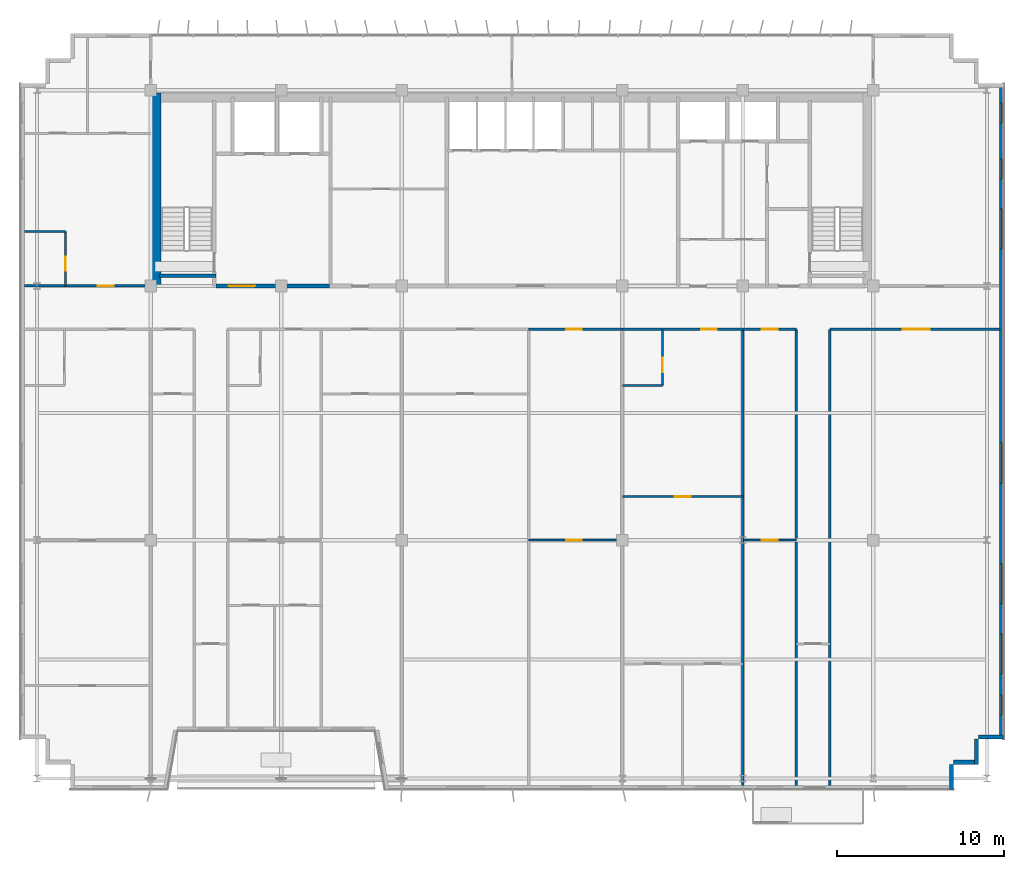
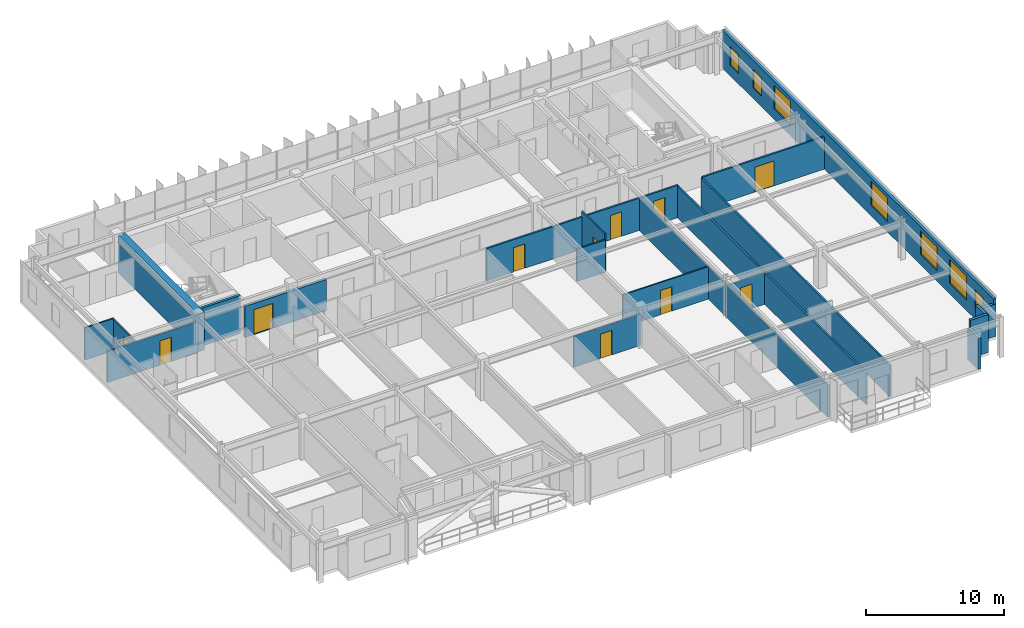
# One storey, part 16 of 20: 23 walls, 11 doors, 7 windows, 18 openings.
"""IFC4 building model written with IfcOpenShell, lengths in metres."""

from ifc_helpers import new_model, si_unit, direction, frame, frame_2d, origin, place, context, subcontext, project, spatial, rectangle, extrude, source, transform, mapped, material, layer, layer_set, type_object, element, fill, save


model = new_model("IFC4")

# Units and contexts
model_context = context("Model", 3, precision=1e-05, world=origin(), true_north=direction((0.0, 1.0)))
body_context = subcontext(model_context, "Body", "Model", "MODEL_VIEW")
ifc_project = project(units=[si_unit("LENGTHUNIT", "METRE"), si_unit("AREAUNIT", "SQUARE_METRE"), si_unit("VOLUMEUNIT", "CUBIC_METRE"), si_unit("PLANEANGLEUNIT", "RADIAN"), si_unit("MASSUNIT", "GRAM", prefix="KILO")], contexts=[model_context])

# Site, building, storey
site_placement = place(None, origin())
site = spatial("IfcSite", under=ifc_project, at=site_placement, CompositionType="ELEMENT")
building_placement = place(site_placement, origin())
building = spatial("IfcBuilding", under=site, at=building_placement, Name="Trelvane Seafront Commons", CompositionType="ELEMENT")
storey_placement = place(building_placement, frame((0.0, 0.0, 171.699951171875)))
storey = spatial("IfcBuildingStorey", under=building, at=storey_placement, Name="L45", CompositionType="ELEMENT", Elevation=171.699951171875)

# Wall, openings, windows
ifc_material_1 = material(Name="Precast concrete C40/50", Category="concrete")
ifc_layer_1 = layer(ifc_material_1, 0.239990234375, Name="ARCH-WALL-EXT240")
ifc_layer_set_1 = layer_set([ifc_layer_1], Name="Precast concrete C40/50")
wall_type_1 = type_object("IfcWallType", Name="ARCH-WALL-EXT240", PredefinedType="SOLIDWALL", material=ifc_layer_set_1)
wall_1_placement = place(storey_placement, frame((66.47998046875, 45.5, 0.0), z_axis=(0.0, 0.0, 1.0), x_axis=(0.0, -1.0, 0.0)))
wall_1 = element("IfcWall", 1, at=wall_1_placement, inside=storey, type_object=wall_type_1, Name="EW-L45-00898", PredefinedType="SOLIDWALL", context=body_context, shape_type="SweptSolid", body=[
    extrude(rectangle(XDim=39.199951171875, YDim=0.239990234375, at=frame_2d((19.60009765625, 0.0))), origin(), (0.0, 0.0, 1.0), 3.35009765625),
])
opening_1_placement = place(wall_1_placement, frame((36.550048828125, 0.0, 0.919921875)))
opening_1 = element("IfcOpeningElement", 2, at=opening_1_placement, cuts=wall_1, Name="Opening W05", PredefinedType="OPENING", context=body_context, shape_type="SweptSolid", body=[
    extrude(rectangle(XDim=1.199951171875, YDim=1.64990234375, at=frame_2d((0.60009765625, 0.824951171875))), frame((0.0, 0.1298828125, 0.0), z_axis=(0.0, -1.0, 0.0), x_axis=(1.0, 0.0, 0.0)), (0.0, 0.0, 1.0), 0.260009765625),
])
opening_2_placement = place(wall_1_placement, frame((32.89990234375, 0.0, 0.919921875)))
opening_2 = element("IfcOpeningElement", 3, at=opening_2_placement, cuts=wall_1, Name="Opening W08", PredefinedType="OPENING", context=body_context, shape_type="SweptSolid", body=[
    extrude(rectangle(XDim=2.39990234375, YDim=2.10009765625, at=frame_2d((1.199951171875, 1.050048828125))), frame((0.0, 0.1298828125, 0.0), z_axis=(0.0, -1.0, 0.0), x_axis=(1.0, 0.0, 0.0)), (0.0, 0.0, 1.0), 0.260009765625),
])
opening_3_placement = place(wall_1_placement, frame((28.699951171875, 0.0, 0.919921875)))
opening_3 = element("IfcOpeningElement", 4, at=opening_3_placement, cuts=wall_1, Name="Opening W08", PredefinedType="OPENING", context=body_context, shape_type="SweptSolid", body=[
    extrude(rectangle(XDim=2.39990234375, YDim=2.10009765625, at=frame_2d((1.199951171875, 1.050048828125))), frame((0.0, 0.1298828125, 0.0), z_axis=(0.0, -1.0, 0.0), x_axis=(1.0, 0.0, 0.0)), (0.0, 0.0, 1.0), 0.260009765625),
])
opening_4_placement = place(wall_1_placement, frame((21.5, 0.0, 0.919921875)))
opening_4 = element("IfcOpeningElement", 5, at=opening_4_placement, cuts=wall_1, Name="Opening W08", PredefinedType="OPENING", context=body_context, shape_type="SweptSolid", body=[
    extrude(rectangle(XDim=2.39990234375, YDim=2.10009765625, at=frame_2d((1.199951171875, 1.050048828125))), frame((0.0, 0.1298828125, 0.0), z_axis=(0.0, -1.0, 0.0), x_axis=(1.0, 0.0, 0.0)), (0.0, 0.0, 1.0), 0.260009765625),
])
opening_5_placement = place(wall_1_placement, frame((7.5, 0.0, 0.919921875)))
opening_5 = element("IfcOpeningElement", 6, at=opening_5_placement, cuts=wall_1, Name="Opening W08", PredefinedType="OPENING", context=body_context, shape_type="SweptSolid", body=[
    extrude(rectangle(XDim=2.39990234375, YDim=2.10009765625, at=frame_2d((1.199951171875, 1.050048828125))), frame((0.0, 0.1298828125, 0.0), z_axis=(0.0, -1.0, 0.0), x_axis=(1.0, 0.0, 0.0)), (0.0, 0.0, 1.0), 0.260009765625),
])
opening_6_placement = place(wall_1_placement, frame((4.5, 0.0, 0.919921875)))
opening_6 = element("IfcOpeningElement", 7, at=opening_6_placement, cuts=wall_1, Name="Opening W05", PredefinedType="OPENING", context=body_context, shape_type="SweptSolid", body=[
    extrude(rectangle(XDim=1.199951171875, YDim=1.64990234375, at=frame_2d((0.60009765625, 0.824951171875))), frame((0.0, 0.1298828125, 0.0), z_axis=(0.0, -1.0, 0.0), x_axis=(1.0, 0.0, 0.0)), (0.0, 0.0, 1.0), 0.260009765625),
])
opening_7_placement = place(wall_1_placement, frame((1.14990234375, 0.0, 0.919921875)))
opening_7 = element("IfcOpeningElement", 8, at=opening_7_placement, cuts=wall_1, Name="Opening W05", PredefinedType="OPENING", context=body_context, shape_type="SweptSolid", body=[
    extrude(rectangle(XDim=1.199951171875, YDim=1.64990234375, at=frame_2d((0.60009765625, 0.824951171875))), frame((0.0, 0.1298828125, 0.0), z_axis=(0.0, -1.0, 0.0), x_axis=(1.0, 0.0, 0.0)), (0.0, 0.0, 1.0), 0.260009765625),
])
ifc_material_2 = material(Name="Low-E coastal double glazing", Category="glass")
window_type_1 = type_object("IfcWindowType", Name="ARCH-WIN-W08", PartitioningType="SINGLE_PANEL", PredefinedType="WINDOW", material=ifc_material_2)
shared_shape_1 = source(origin(), body_context, "Body", "SweptSolid", [
    extrude(rectangle(XDim=2.39990234375, YDim=2.10009765625, at=frame_2d((1.199951171875, 1.050048828125))), frame((0.0, 0.030029296875, 0.0), z_axis=(0.0, -1.0, 0.0), x_axis=(1.0, 0.0, 0.0)), (0.0, 0.0, 1.0), 0.06005859375),
])
window_1_placement = place(opening_2_placement, origin())
window_1 = element("IfcWindow", 9, at=window_1_placement, inside=storey, type_object=window_type_1, Name="WIN-L45-EW-01073", OverallHeight=2.10009765625, OverallWidth=2.39990234375, PartitioningType="SINGLE_PANEL", PredefinedType="WINDOW", context=body_context, shape_type="MappedRepresentation", body=[
    mapped(shared_shape_1, transform((0.0, 0.0, 0.0), x_axis=(1.0, 0.0, 0.0), y_axis=(0.0, 1.0, 0.0), z_axis=(0.0, 0.0, 1.0), scale=1.0)),
])
fill(opening_2, window_1)
window_2_placement = place(opening_3_placement, origin())
window_2 = element("IfcWindow", 10, at=window_2_placement, inside=storey, type_object=window_type_1, Name="WIN-L45-EW-01074", OverallHeight=2.10009765625, OverallWidth=2.39990234375, PartitioningType="SINGLE_PANEL", PredefinedType="WINDOW", context=body_context, shape_type="MappedRepresentation", body=[
    mapped(shared_shape_1, transform((0.0, 0.0, 0.0), x_axis=(1.0, 0.0, 0.0), y_axis=(0.0, 1.0, 0.0), z_axis=(0.0, 0.0, 1.0), scale=1.0)),
])
fill(opening_3, window_2)
window_3_placement = place(opening_4_placement, origin())
window_3 = element("IfcWindow", 11, at=window_3_placement, inside=storey, type_object=window_type_1, Name="WIN-L45-EW-01075", OverallHeight=2.10009765625, OverallWidth=2.39990234375, PartitioningType="SINGLE_PANEL", PredefinedType="WINDOW", context=body_context, shape_type="MappedRepresentation", body=[
    mapped(shared_shape_1, transform((0.0, 0.0, 0.0), x_axis=(1.0, 0.0, 0.0), y_axis=(0.0, 1.0, 0.0), z_axis=(0.0, 0.0, 1.0), scale=1.0)),
])
fill(opening_4, window_3)
window_4_placement = place(opening_5_placement, origin())
window_4 = element("IfcWindow", 12, at=window_4_placement, inside=storey, type_object=window_type_1, Name="WIN-L45-EW-01076", OverallHeight=2.10009765625, OverallWidth=2.39990234375, PartitioningType="SINGLE_PANEL", PredefinedType="WINDOW", context=body_context, shape_type="MappedRepresentation", body=[
    mapped(shared_shape_1, transform((0.0, 0.0, 0.0), x_axis=(1.0, 0.0, 0.0), y_axis=(0.0, 1.0, 0.0), z_axis=(0.0, 0.0, 1.0), scale=1.0)),
])
fill(opening_5, window_4)
window_type_2 = type_object("IfcWindowType", Name="ARCH-WIN-W05", PartitioningType="SINGLE_PANEL", PredefinedType="WINDOW", material=ifc_material_2)
shared_shape_2 = source(origin(), body_context, "Body", "SweptSolid", [
    extrude(rectangle(XDim=1.199951171875, YDim=1.64990234375, at=frame_2d((0.60009765625, 0.824951171875))), frame((0.0, 0.030029296875, 0.0), z_axis=(0.0, -1.0, 0.0), x_axis=(1.0, 0.0, 0.0)), (0.0, 0.0, 1.0), 0.06005859375),
])
window_5_placement = place(opening_1_placement, origin())
window_5 = element("IfcWindow", 13, at=window_5_placement, inside=storey, type_object=window_type_2, Name="WIN-L45-EW-01072", OverallHeight=1.64990234375, OverallWidth=1.199951171875, PartitioningType="SINGLE_PANEL", PredefinedType="WINDOW", context=body_context, shape_type="MappedRepresentation", body=[
    mapped(shared_shape_2, transform((0.0, 0.0, 0.0), x_axis=(1.0, 0.0, 0.0), y_axis=(0.0, 1.0, 0.0), z_axis=(0.0, 0.0, 1.0), scale=1.0)),
])
fill(opening_1, window_5)
window_6_placement = place(opening_6_placement, origin())
window_6 = element("IfcWindow", 14, at=window_6_placement, inside=storey, type_object=window_type_2, Name="WIN-L45-EW-01077", OverallHeight=1.64990234375, OverallWidth=1.199951171875, PartitioningType="SINGLE_PANEL", PredefinedType="WINDOW", context=body_context, shape_type="MappedRepresentation", body=[
    mapped(shared_shape_2, transform((0.0, 0.0, 0.0), x_axis=(1.0, 0.0, 0.0), y_axis=(0.0, 1.0, 0.0), z_axis=(0.0, 0.0, 1.0), scale=1.0)),
])
fill(opening_6, window_6)
window_7_placement = place(opening_7_placement, origin())
window_7 = element("IfcWindow", 15, at=window_7_placement, inside=storey, type_object=window_type_2, Name="WIN-L45-EW-01078", OverallHeight=1.64990234375, OverallWidth=1.199951171875, PartitioningType="SINGLE_PANEL", PredefinedType="WINDOW", context=body_context, shape_type="MappedRepresentation", body=[
    mapped(shared_shape_2, transform((0.0, 0.0, 0.0), x_axis=(1.0, 0.0, 0.0), y_axis=(0.0, 1.0, 0.0), z_axis=(0.0, 0.0, 1.0), scale=1.0)),
])
fill(opening_7, window_7)

# Walls
wall_2_placement = place(storey_placement, frame((66.60009765625, 6.419921875, 0.0), z_axis=(0.0, 0.0, 1.0), x_axis=(-1.0, 0.0, 0.0)))
element("IfcWall", 16, at=wall_2_placement, inside=storey, type_object=wall_type_1, Name="EW-L45-00899", PredefinedType="SOLIDWALL", context=body_context, shape_type="SweptSolid", body=[
    extrude(rectangle(XDim=1.5, YDim=0.239990234375, at=frame_2d((0.75, 0.0))), origin(), (0.0, 0.0, 1.0), 2.85009765625),
])
for number, where, z_axis, x_axis, name in (
    (17, (64.97998046875, 6.300048828125, 0.0), (0.0, 0.0, 1.0), (0.0, -1.0, 0.0), "EW-L45-00900"),
    (18, (65.10009765625, 4.919921875, 0.0), (0.0, 0.0, 1.0), (-1.0, 0.0, 0.0), "EW-L45-00901"),
):
    element("IfcWall", number, at=place(storey_placement, frame(where, z_axis=z_axis, x_axis=x_axis)), inside=storey, type_object=wall_type_1, Name=name, PredefinedType="SOLIDWALL", context=body_context, shape_type="SweptSolid", body=[
        extrude(rectangle(XDim=1.5, YDim=0.239990234375, at=frame_2d((0.75, 0.0))), origin(), (0.0, 0.0, 1.0), 3.35009765625),
    ])
wall_3_placement = place(storey_placement, frame((63.47998046875, 4.800048828125, 0.0), z_axis=(0.0, 0.0, 1.0), x_axis=(0.0, -1.0, 0.0)))
element("IfcWall", 19, at=wall_3_placement, inside=storey, type_object=wall_type_1, Name="EW-L45-00902", PredefinedType="SOLIDWALL", context=body_context, shape_type="SweptSolid", body=[
    extrude(rectangle(XDim=1.5, YDim=0.239990234375, at=frame_2d((0.75, 0.0))), origin(), (0.0, 0.0, 1.0), 2.75),
])

# Wall, opening, door
ifc_material_3 = material(Name="Concrete C40/50", Category="concrete")
ifc_layer_2 = layer(ifc_material_3, 0.25, Name="ARCH-WALL-FIRE250")
ifc_layer_set_2 = layer_set([ifc_layer_2], Name="Concrete C40/50")
wall_type_2 = type_object("IfcWallType", Name="ARCH-WALL-FIRE250", PredefinedType="PARTITIONING", material=ifc_layer_set_2)
wall_4_placement = place(storey_placement, frame((19.5, 33.39990234375, 0.0), z_axis=(0.0, 0.0, 1.0), x_axis=(1.0, 0.0, 0.0)))
wall_4 = element("IfcWall", 20, at=wall_4_placement, inside=storey, type_object=wall_type_2, Name="W-L45-CS-FFL-013", PredefinedType="PARTITIONING", context=body_context, shape_type="SweptSolid", body=[
    extrude(rectangle(XDim=6.800048828125, YDim=0.25, at=frame_2d((3.39990234375, 0.0))), origin(), (0.0, 0.0, 1.0), 2.75),
])
opening_8_placement = place(wall_4_placement, frame((0.75, 0.0, 0.0)))
opening_8 = element("IfcOpeningElement", 21, at=opening_8_placement, cuts=wall_4, Name="Opening FD-L45-05", PredefinedType="OPENING", context=body_context, shape_type="SweptSolid", body=[
    extrude(rectangle(XDim=1.60009765625, YDim=2.199951171875, at=frame_2d((0.800048828125, 1.10009765625))), frame((0.0, 0.135009765625, 0.0), z_axis=(0.0, -1.0, 0.0), x_axis=(1.0, 0.0, 0.0)), (0.0, 0.0, 1.0), 0.27001953125),
])
ifc_material_4 = material(Name="Powder-coated aluminium frame", Category="aluminium")
door_type_1 = type_object("IfcDoorType", Name="ARCH-DR-FD60-1600", OperationType="DOUBLE_DOOR_SINGLE_SWING", PredefinedType="DOOR", material=ifc_material_4)
shared_shape_3 = source(origin(), body_context, "Body", "SweptSolid", [
    extrude(rectangle(XDim=1.60009765625, YDim=2.199951171875, at=frame_2d((0.800048828125, 1.10009765625))), frame((0.0, 0.02490234375, 0.0), z_axis=(0.0, -1.0, 0.0), x_axis=(1.0, 0.0, 0.0)), (0.0, 0.0, 1.0), 0.050048828125),
])
door_1_placement = place(opening_8_placement, origin())
door_1 = element("IfcDoor", 22, at=door_1_placement, inside=storey, type_object=door_type_1, Name="L45 Firefighting Lift Lobby Double Fire Door", OperationType="DOUBLE_DOOR_SINGLE_SWING", OverallHeight=2.199951171875, OverallWidth=1.60009765625, PredefinedType="DOOR", context=body_context, shape_type="MappedRepresentation", body=[
    mapped(shared_shape_3, transform((0.0, 0.0, 0.0), x_axis=(1.0, 0.0, 0.0), y_axis=(0.0, 1.0, 0.0), z_axis=(0.0, 0.0, 1.0), scale=1.0)),
])
fill(opening_8, door_1)

ifc_material_5 = material(Name="Gypsum Drywall Acoustic Partition")
ifc_layer_3 = layer(ifc_material_5, 0.1201171875, Name="ARCH-WALL-PART120")
ifc_layer_set_3 = layer_set([ifc_layer_3], Name="Gypsum Drywall Acoustic Partition")
wall_type_3 = type_object("IfcWallType", Name="ARCH-WALL-PART120", PredefinedType="PARTITIONING", material=ifc_layer_set_3)
wall_5_placement = place(storey_placement, frame((10.5, 33.39990234375, 0.0), z_axis=(0.0, 0.0, 1.0), x_axis=(0.0, 1.0, 0.0)))
wall_5 = element("IfcWall", 23, at=wall_5_placement, inside=storey, type_object=wall_type_3, Name="W-L45-NW-BE-036", PredefinedType="PARTITIONING", context=body_context, shape_type="SweptSolid", body=[
    extrude(rectangle(XDim=3.25, YDim=0.1201171875, at=frame_2d((1.625, 0.0))), origin(), (0.0, 0.0, 1.0), 2.75),
])
opening_9_placement = place(wall_5_placement, frame((0.89990234375, 0.0, 0.0)))
opening_9 = element("IfcOpeningElement", 24, at=opening_9_placement, cuts=wall_5, Name="Opening D-L45-20", PredefinedType="OPENING", context=body_context, shape_type="SweptSolid", body=[
    extrude(rectangle(XDim=0.85009765625, YDim=2.10009765625, at=frame_2d((0.425048828125, 1.050048828125))), frame((0.0, 0.070068359375, 0.0), z_axis=(0.0, -1.0, 0.0), x_axis=(1.0, 0.0, 0.0)), (0.0, 0.0, 1.0), 0.14013671875),
])
ifc_material_6 = material(Name="Acoustic timber door leaf", Category="wood")
door_type_2 = type_object("IfcDoorType", Name="ARCH-DR-INT850", OperationType="NOTDEFINED", PredefinedType="DOOR", material=ifc_material_6)
shared_shape_4 = source(origin(), body_context, "Body", "SweptSolid", [
    extrude(rectangle(XDim=0.85009765625, YDim=2.10009765625, at=frame_2d((0.425048828125, 1.050048828125))), frame((0.0, 0.02490234375, 0.0), z_axis=(0.0, -1.0, 0.0), x_axis=(1.0, 0.0, 0.0)), (0.0, 0.0, 1.0), 0.050048828125),
])
door_2_placement = place(opening_9_placement, origin())
door_2 = element("IfcDoor", 25, at=door_2_placement, inside=storey, type_object=door_type_2, Name="L45 Door 20", OperationType="SINGLE_SWING_RIGHT", OverallHeight=2.10009765625, OverallWidth=0.85009765625, PredefinedType="DOOR", context=body_context, shape_type="MappedRepresentation", body=[
    mapped(shared_shape_4, transform((0.0, 0.0, 0.0), x_axis=(1.0, 0.0, 0.0), y_axis=(0.0, 1.0, 0.0), z_axis=(0.0, 0.0, 1.0), scale=1.0)),
])
fill(opening_9, door_2)

# Wall
wall_6_placement = place(storey_placement, frame((8.050048828125, 36.64990234375, 0.0), z_axis=(0.0, 0.0, 1.0), x_axis=(1.0, 0.0, 0.0)))
element("IfcWall", 26, at=wall_6_placement, inside=storey, type_object=wall_type_3, Name="W-L45-NW-BN-037", PredefinedType="PARTITIONING", context=body_context, shape_type="SweptSolid", body=[
    extrude(rectangle(XDim=2.449951171875, YDim=0.1201171875, at=frame_2d((1.22509765625, 0.0))), origin(), (0.0, 0.0, 1.0), 2.85009765625),
])

# Wall, opening, door
wall_7_placement = place(storey_placement, frame((38.199951171875, 18.199951171875, 0.0), z_axis=(0.0, 0.0, 1.0), x_axis=(1.0, 0.0, 0.0)))
wall_7 = element("IfcWall", 27, at=wall_7_placement, inside=storey, type_object=wall_type_3, Name="W-L45-U7-DIV-074", PredefinedType="PARTITIONING", context=body_context, shape_type="SweptSolid", body=[
    extrude(rectangle(XDim=5.60009765625, YDim=0.1201171875, at=frame_2d((2.800048828125, 0.0))), origin(), (0.0, 0.0, 1.0), 2.75),
])
opening_10_placement = place(wall_7_placement, frame((2.23193359375, 0.0, 0.0)))
opening_10 = element("IfcOpeningElement", 28, at=opening_10_placement, cuts=wall_7, Name="Opening D-L45-45", PredefinedType="OPENING", context=body_context, shape_type="SweptSolid", body=[
    extrude(rectangle(XDim=0.949951171875, YDim=2.14990234375, at=frame_2d((0.47509765625, 1.074951171875))), frame((0.0, 0.070068359375, 0.0), z_axis=(0.0, -1.0, 0.0), x_axis=(1.0, 0.0, 0.0)), (0.0, 0.0, 1.0), 0.14013671875),
])
door_type_3 = type_object("IfcDoorType", Name="ARCH-DR-INT950", OperationType="NOTDEFINED", PredefinedType="DOOR", material=ifc_material_6)
shared_shape_5 = source(origin(), body_context, "Body", "SweptSolid", [
    extrude(rectangle(XDim=0.949951171875, YDim=2.14990234375, at=frame_2d((0.47509765625, 1.074951171875))), frame((0.0, 0.02490234375, 0.0), z_axis=(0.0, -1.0, 0.0), x_axis=(1.0, 0.0, 0.0)), (0.0, 0.0, 1.0), 0.050048828125),
])
door_3_placement = place(opening_10_placement, origin())
door_3 = element("IfcDoor", 29, at=door_3_placement, inside=storey, type_object=door_type_3, Name="L45 Door 45", OperationType="SINGLE_SWING_LEFT", OverallHeight=2.14990234375, OverallWidth=0.949951171875, PredefinedType="DOOR", context=body_context, shape_type="MappedRepresentation", body=[
    mapped(shared_shape_5, transform((0.0, 0.0, 0.0), x_axis=(1.0, 0.0, 0.0), y_axis=(0.0, 1.0, 0.0), z_axis=(0.0, 0.0, 1.0), scale=1.0)),
])
fill(opening_10, door_3)

wall_8_placement = place(storey_placement, frame((43.800048828125, 20.800048828125, 0.0), z_axis=(0.0, 0.0, 1.0), x_axis=(1.0, 0.0, 0.0)))
wall_8 = element("IfcWall", 30, at=wall_8_placement, inside=storey, type_object=wall_type_3, Name="W-L45-U8-KL-075", PredefinedType="PARTITIONING", context=body_context, shape_type="SweptSolid", body=[
    extrude(rectangle(XDim=7.199951171875, YDim=0.1201171875, at=frame_2d((3.60009765625, 0.0))), origin(), (0.0, 0.0, 1.0), 2.85009765625),
])
opening_11_placement = place(wall_8_placement, frame((3.125, 0.0, 0.0)))
opening_11 = element("IfcOpeningElement", 31, at=opening_11_placement, cuts=wall_8, Name="Opening D-L45-46", PredefinedType="OPENING", context=body_context, shape_type="SweptSolid", body=[
    extrude(rectangle(XDim=0.949951171875, YDim=2.14990234375, at=frame_2d((0.47509765625, 1.074951171875))), frame((0.0, 0.070068359375, 0.0), z_axis=(0.0, -1.0, 0.0), x_axis=(1.0, 0.0, 0.0)), (0.0, 0.0, 1.0), 0.14013671875),
])
door_4_placement = place(opening_11_placement, origin())
door_4 = element("IfcDoor", 32, at=door_4_placement, inside=storey, type_object=door_type_3, Name="L45 Door 46", OperationType="SINGLE_SWING_RIGHT", OverallHeight=2.14990234375, OverallWidth=0.949951171875, PredefinedType="DOOR", context=body_context, shape_type="MappedRepresentation", body=[
    mapped(shared_shape_5, transform((0.0, 0.0, 0.0), x_axis=(1.0, 0.0, 0.0), y_axis=(0.0, 1.0, 0.0), z_axis=(0.0, 0.0, 1.0), scale=1.0)),
])
fill(opening_11, door_4)

wall_9_placement = place(storey_placement, frame((46.199951171875, 27.449951171875, 0.0), z_axis=(0.0, 0.0, 1.0), x_axis=(0.0, 1.0, 0.0)))
wall_9 = element("IfcWall", 33, at=wall_9_placement, inside=storey, type_object=wall_type_3, Name="W-L45-U8-BE-076", PredefinedType="PARTITIONING", context=body_context, shape_type="SweptSolid", body=[
    extrude(rectangle(XDim=3.35009765625, YDim=0.1201171875, at=frame_2d((1.675048828125, 0.0))), origin(), (0.0, 0.0, 1.0), 3.35009765625),
])
opening_12_placement = place(wall_9_placement, frame((0.800048828125, 0.0, 0.0)))
opening_12 = element("IfcOpeningElement", 34, at=opening_12_placement, cuts=wall_9, Name="Opening D-L45-47", PredefinedType="OPENING", context=body_context, shape_type="SweptSolid", body=[
    extrude(rectangle(XDim=0.85009765625, YDim=2.10009765625, at=frame_2d((0.425048828125, 1.050048828125))), frame((0.0, 0.070068359375, 0.0), z_axis=(0.0, -1.0, 0.0), x_axis=(1.0, 0.0, 0.0)), (0.0, 0.0, 1.0), 0.14013671875),
])
door_5_placement = place(opening_12_placement, origin())
door_5 = element("IfcDoor", 35, at=door_5_placement, inside=storey, type_object=door_type_2, Name="L45 Door 47", OperationType="SINGLE_SWING_LEFT", OverallHeight=2.10009765625, OverallWidth=0.85009765625, PredefinedType="DOOR", context=body_context, shape_type="MappedRepresentation", body=[
    mapped(shared_shape_4, transform((0.0, 0.0, 0.0), x_axis=(1.0, 0.0, 0.0), y_axis=(0.0, 1.0, 0.0), z_axis=(0.0, 0.0, 1.0), scale=1.0)),
])
fill(opening_12, door_5)

# Wall
wall_10_placement = place(storey_placement, frame((43.800048828125, 27.449951171875, 0.0), z_axis=(0.0, 0.0, 1.0), x_axis=(1.0, 0.0, 0.0)))
element("IfcWall", 36, at=wall_10_placement, inside=storey, type_object=wall_type_3, Name="W-L45-U8-BS-077", PredefinedType="PARTITIONING", context=body_context, shape_type="SweptSolid", body=[
    extrude(rectangle(XDim=2.39990234375, YDim=0.1201171875, at=frame_2d((1.199951171875, 0.0))), origin(), (0.0, 0.0, 1.0), 2.85009765625),
])

# Wall, opening, door
wall_11_placement = place(storey_placement, frame((51.0, 18.199951171875, 0.0), z_axis=(0.0, 0.0, 1.0), x_axis=(1.0, 0.0, 0.0)))
wall_11 = element("IfcWall", 37, at=wall_11_placement, inside=storey, type_object=wall_type_3, Name="W-L45-U9-DIV-083", PredefinedType="PARTITIONING", context=body_context, shape_type="SweptSolid", body=[
    extrude(rectangle(XDim=3.199951171875, YDim=0.1201171875, at=frame_2d((1.60009765625, 0.0))), origin(), (0.0, 0.0, 1.0), 2.75),
])
opening_13_placement = place(wall_11_placement, frame((1.125, 0.0, 0.0)))
opening_13 = element("IfcOpeningElement", 38, at=opening_13_placement, cuts=wall_11, Name="Opening D-L45-52", PredefinedType="OPENING", context=body_context, shape_type="SweptSolid", body=[
    extrude(rectangle(XDim=0.949951171875, YDim=2.14990234375, at=frame_2d((0.47509765625, 1.074951171875))), frame((0.0, 0.070068359375, 0.0), z_axis=(0.0, -1.0, 0.0), x_axis=(1.0, 0.0, 0.0)), (0.0, 0.0, 1.0), 0.14013671875),
])
door_6_placement = place(opening_13_placement, origin())
door_6 = element("IfcDoor", 39, at=door_6_placement, inside=storey, type_object=door_type_3, Name="L45 Door 52", OperationType="SINGLE_SWING_RIGHT", OverallHeight=2.14990234375, OverallWidth=0.949951171875, PredefinedType="DOOR", context=body_context, shape_type="MappedRepresentation", body=[
    mapped(shared_shape_5, transform((0.0, 0.0, 0.0), x_axis=(1.0, 0.0, 0.0), y_axis=(0.0, 1.0, 0.0), z_axis=(0.0, 0.0, 1.0), scale=1.0)),
])
fill(opening_13, door_6)

ifc_layer_4 = layer(ifc_material_5, 0.14990234375, Name="ARCH-WALL-PART150")
ifc_layer_set_4 = layer_set([ifc_layer_4], Name="Gypsum Drywall Acoustic Partition")
wall_type_4 = type_object("IfcWallType", Name="ARCH-WALL-PART150", PredefinedType="PARTITIONING", material=ifc_layer_set_4)
wall_12_placement = place(storey_placement, frame((8.050048828125, 33.39990234375, 0.0), z_axis=(0.0, 0.0, 1.0), x_axis=(1.0, 0.0, 0.0)))
wall_12 = element("IfcWall", 40, at=wall_12_placement, inside=storey, type_object=wall_type_4, Name="W-L45-NW-ENT-041", PredefinedType="PARTITIONING", context=body_context, shape_type="SweptSolid", body=[
    extrude(rectangle(XDim=7.550048828125, YDim=0.14990234375, at=frame_2d((3.77490234375, 0.0))), origin(), (0.0, 0.0, 1.0), 2.75),
])
opening_14_placement = place(wall_12_placement, frame((4.375, 0.0, 0.0)))
opening_14 = element("IfcOpeningElement", 41, at=opening_14_placement, cuts=wall_12, Name="Opening FD-L45-23", PredefinedType="OPENING", context=body_context, shape_type="SweptSolid", body=[
    extrude(rectangle(XDim=0.949951171875, YDim=2.14990234375, at=frame_2d((0.47509765625, 1.074951171875))), frame((0.0, 0.0849609375, 0.0), z_axis=(0.0, -1.0, 0.0), x_axis=(1.0, 0.0, 0.0)), (0.0, 0.0, 1.0), 0.169921875),
])
door_type_4 = type_object("IfcDoorType", Name="ARCH-DR-FD60-950", OperationType="NOTDEFINED", PredefinedType="DOOR", material=ifc_material_4)
door_7_placement = place(opening_14_placement, origin())
door_7 = element("IfcDoor", 42, at=door_7_placement, inside=storey, type_object=door_type_4, Name="L45 NW Flat Entrance Door", OperationType="SINGLE_SWING_LEFT", OverallHeight=2.14990234375, OverallWidth=0.949951171875, PredefinedType="DOOR", context=body_context, shape_type="MappedRepresentation", body=[
    mapped(shared_shape_5, transform((0.0, 0.0, 0.0), x_axis=(1.0, 0.0, 0.0), y_axis=(0.0, 1.0, 0.0), z_axis=(0.0, 0.0, 1.0), scale=1.0)),
])
fill(opening_14, door_7)

# Wall
wall_13_placement = place(storey_placement, frame((51.0, 3.52490234375, 0.0), z_axis=(0.0, 0.0, 1.0), x_axis=(0.0, 1.0, 0.0)))
element("IfcWall", 43, at=wall_13_placement, inside=storey, type_object=wall_type_4, Name="W-L45-PW-8-051", PredefinedType="PARTITIONING", context=body_context, shape_type="SweptSolid", body=[
    extrude(rectangle(XDim=27.275146484375, YDim=0.14990234375, at=frame_2d((13.6376953125, 0.0))), origin(), (0.0, 0.0, 1.0), 2.85009765625),
])

# Wall, opening, door
wall_14_placement = place(storey_placement, frame((38.199951171875, 30.800048828125, 0.0), z_axis=(0.0, 0.0, 1.0), x_axis=(1.0, 0.0, 0.0)))
wall_14 = element("IfcWall", 44, at=wall_14_placement, inside=storey, type_object=wall_type_4, Name="W-L45-CS-BAY-7-073", PredefinedType="PARTITIONING", context=body_context, shape_type="SweptSolid", body=[
    extrude(rectangle(XDim=5.60009765625, YDim=0.14990234375, at=frame_2d((2.800048828125, 0.0))), origin(), (0.0, 0.0, 1.0), 2.85009765625),
])
opening_15_placement = place(wall_14_placement, frame((2.23193359375, 0.0, 0.0)))
opening_15 = element("IfcOpeningElement", 45, at=opening_15_placement, cuts=wall_14, Name="Opening FD-L45-44", PredefinedType="OPENING", context=body_context, shape_type="SweptSolid", body=[
    extrude(rectangle(XDim=0.949951171875, YDim=2.14990234375, at=frame_2d((0.47509765625, 1.074951171875))), frame((0.0, 0.0849609375, 0.0), z_axis=(0.0, -1.0, 0.0), x_axis=(1.0, 0.0, 0.0)), (0.0, 0.0, 1.0), 0.169921875),
])
door_8_placement = place(opening_15_placement, origin())
door_8 = element("IfcDoor", 46, at=door_8_placement, inside=storey, type_object=door_type_4, Name="L45 Bay 07 Entrance Door", OperationType="SINGLE_SWING_RIGHT", OverallHeight=2.14990234375, OverallWidth=0.949951171875, PredefinedType="DOOR", context=body_context, shape_type="MappedRepresentation", body=[
    mapped(shared_shape_5, transform((0.0, 0.0, 0.0), x_axis=(1.0, 0.0, 0.0), y_axis=(0.0, 1.0, 0.0), z_axis=(0.0, 0.0, 1.0), scale=1.0)),
])
fill(opening_15, door_8)

wall_15_placement = place(storey_placement, frame((43.800048828125, 30.800048828125, 0.0), z_axis=(0.0, 0.0, 1.0), x_axis=(1.0, 0.0, 0.0)))
wall_15 = element("IfcWall", 47, at=wall_15_placement, inside=storey, type_object=wall_type_4, Name="W-L45-CS-BAY-8-078", PredefinedType="PARTITIONING", context=body_context, shape_type="SweptSolid", body=[
    extrude(rectangle(XDim=7.199951171875, YDim=0.14990234375, at=frame_2d((3.60009765625, 0.0))), origin(), (0.0, 0.0, 1.0), 2.85009765625),
])
opening_16_placement = place(wall_15_placement, frame((4.7060546875, 0.0, 0.0)))
opening_16 = element("IfcOpeningElement", 48, at=opening_16_placement, cuts=wall_15, Name="Opening FD-L45-48", PredefinedType="OPENING", context=body_context, shape_type="SweptSolid", body=[
    extrude(rectangle(XDim=0.949951171875, YDim=2.14990234375, at=frame_2d((0.47509765625, 1.074951171875))), frame((0.0, 0.0849609375, 0.0), z_axis=(0.0, -1.0, 0.0), x_axis=(1.0, 0.0, 0.0)), (0.0, 0.0, 1.0), 0.169921875),
])
door_9_placement = place(opening_16_placement, origin())
door_9 = element("IfcDoor", 49, at=door_9_placement, inside=storey, type_object=door_type_4, Name="L45 Unit 08 Entrance Door", OperationType="SINGLE_SWING_RIGHT", OverallHeight=2.14990234375, OverallWidth=0.949951171875, PredefinedType="DOOR", context=body_context, shape_type="MappedRepresentation", body=[
    mapped(shared_shape_5, transform((0.0, 0.0, 0.0), x_axis=(1.0, 0.0, 0.0), y_axis=(0.0, 1.0, 0.0), z_axis=(0.0, 0.0, 1.0), scale=1.0)),
])
fill(opening_16, door_9)

wall_16_placement = place(storey_placement, frame((51.0, 30.800048828125, 0.0), z_axis=(0.0, 0.0, 1.0), x_axis=(1.0, 0.0, 0.0)))
wall_16 = element("IfcWall", 50, at=wall_16_placement, inside=storey, type_object=wall_type_4, Name="W-L45-CS-BAY-9-082", PredefinedType="PARTITIONING", context=body_context, shape_type="SweptSolid", body=[
    extrude(rectangle(XDim=3.199951171875, YDim=0.14990234375, at=frame_2d((1.60009765625, 0.0))), origin(), (0.0, 0.0, 1.0), 2.85009765625),
])
opening_17_placement = place(wall_16_placement, frame((1.125, 0.0, 0.0)))
opening_17 = element("IfcOpeningElement", 51, at=opening_17_placement, cuts=wall_16, Name="Opening FD-L45-51", PredefinedType="OPENING", context=body_context, shape_type="SweptSolid", body=[
    extrude(rectangle(XDim=0.949951171875, YDim=2.14990234375, at=frame_2d((0.47509765625, 1.074951171875))), frame((0.0, 0.0849609375, 0.0), z_axis=(0.0, -1.0, 0.0), x_axis=(1.0, 0.0, 0.0)), (0.0, 0.0, 1.0), 0.169921875),
])
door_10_placement = place(opening_17_placement, origin())
door_10 = element("IfcDoor", 52, at=door_10_placement, inside=storey, type_object=door_type_4, Name="L45 Bay 09 Entrance Door", OperationType="SINGLE_SWING_LEFT", OverallHeight=2.14990234375, OverallWidth=0.949951171875, PredefinedType="DOOR", context=body_context, shape_type="MappedRepresentation", body=[
    mapped(shared_shape_5, transform((0.0, 0.0, 0.0), x_axis=(1.0, 0.0, 0.0), y_axis=(0.0, 1.0, 0.0), z_axis=(0.0, 0.0, 1.0), scale=1.0)),
])
fill(opening_17, door_10)

# Walls
for number, where, z_axis, x_axis, name in (
    (53, (54.199951171875, 3.52490234375, 0.0), (0.0, 0.0, 1.0), (0.0, 1.0, 0.0), "W-L45-ARM-W-10-084"),
    (54, (56.199951171875, 3.52490234375, 0.0), (0.0, 0.0, 1.0), (0.0, 1.0, 0.0), "W-L45-ARM-E-10-085"),
):
    element("IfcWall", number, at=place(storey_placement, frame(where, z_axis=z_axis, x_axis=x_axis)), inside=storey, type_object=wall_type_4, Name=name, PredefinedType="PARTITIONING", context=body_context, shape_type="SweptSolid", body=[
        extrude(rectangle(XDim=27.275146484375, YDim=0.14990234375, at=frame_2d((13.6376953125, 0.0))), origin(), (0.0, 0.0, 1.0), 2.75),
    ])

# Wall, opening, door
wall_17_placement = place(storey_placement, frame((56.199951171875, 30.800048828125, 0.0), z_axis=(0.0, 0.0, 1.0), x_axis=(1.0, 0.0, 0.0)))
wall_17 = element("IfcWall", 55, at=wall_17_placement, inside=storey, type_object=wall_type_4, Name="W-L45-CS-BAY-11-087", PredefinedType="PARTITIONING", context=body_context, shape_type="SweptSolid", body=[
    extrude(rectangle(XDim=10.175048828125, YDim=0.14990234375, at=frame_2d((5.08740234375, 0.0))), origin(), (0.0, 0.0, 1.0), 2.85009765625),
])
opening_18_placement = place(wall_17_placement, frame((4.3779296875, 0.0, 0.0)))
opening_18 = element("IfcOpeningElement", 56, at=opening_18_placement, cuts=wall_17, Name="Opening D-L45-54", PredefinedType="OPENING", context=body_context, shape_type="SweptSolid", body=[
    extrude(rectangle(XDim=1.60009765625, YDim=2.199951171875, at=frame_2d((0.800048828125, 1.10009765625))), frame((0.0, 0.0849609375, 0.0), z_axis=(0.0, -1.0, 0.0), x_axis=(1.0, 0.0, 0.0)), (0.0, 0.0, 1.0), 0.169921875),
])
door_type_5 = type_object("IfcDoorType", Name="ARCH-DR-GLZ1600", OperationType="DOUBLE_DOOR_SINGLE_SWING", PredefinedType="DOOR", material=ifc_material_6)
door_11_placement = place(opening_18_placement, origin())
door_11 = element("IfcDoor", 57, at=door_11_placement, inside=storey, type_object=door_type_5, Name="L45 Commons Lounge 11 Door", OperationType="DOUBLE_DOOR_SINGLE_SWING", OverallHeight=2.199951171875, OverallWidth=1.60009765625, PredefinedType="DOOR", context=body_context, shape_type="MappedRepresentation", body=[
    mapped(shared_shape_3, transform((0.0, 0.0, 0.0), x_axis=(1.0, 0.0, 0.0), y_axis=(0.0, 1.0, 0.0), z_axis=(0.0, 0.0, 1.0), scale=1.0)),
])
fill(opening_18, door_11)

# Walls
ifc_material_7 = material(Name="Concrete C50/60", Category="concrete")
ifc_layer_5 = layer(ifc_material_7, 0.550048828125, Name="STR-WALL-CORE550")
ifc_layer_set_5 = layer_set([ifc_layer_5], Name="Concrete C50/60")
wall_type_5 = type_object("IfcWallType", Name="STR-WALL-CORE550", PredefinedType="SHEAR", material=ifc_layer_set_5)
wall_18_placement = place(storey_placement, frame((15.925048828125, 33.39990234375, 0.0), z_axis=(0.0, 0.0, 1.0), x_axis=(0.0, 1.0, 0.0)))
element("IfcWall", 58, at=wall_18_placement, inside=storey, type_object=wall_type_5, Name="W-L45-CW-END-002", PredefinedType="SHEAR", context=body_context, shape_type="SweptSolid", body=[
    extrude(rectangle(XDim=11.550048828125, YDim=0.550048828125, at=frame_2d((5.77490234375, 0.0))), origin(), (0.0, 0.0, 1.0), 3.35009765625),
])
ifc_layer_6 = layer(ifc_material_7, 0.199951171875, Name="STR-WALL-STAIR200")
ifc_layer_set_6 = layer_set([ifc_layer_6], Name="Concrete C50/60")
wall_type_6 = type_object("IfcWallType", Name="STR-WALL-STAIR200", PredefinedType="SHEAR", material=ifc_layer_set_6)
wall_19_placement = place(storey_placement, frame((16.10009765625, 34.0, 0.0), z_axis=(0.0, 0.0, 1.0), x_axis=(1.0, 0.0, 0.0)))
element("IfcWall", 59, at=wall_19_placement, inside=storey, type_object=wall_type_6, Name="W-L45-ST1-S-004", PredefinedType="SHEAR", context=body_context, shape_type="SweptSolid", body=[
    extrude(rectangle(XDim=3.39990234375, YDim=0.199951171875, at=frame_2d((1.699951171875, 0.0))), origin(), (0.0, 0.0, 1.0), 3.35009765625),
])

save(model, "model.ifc")
